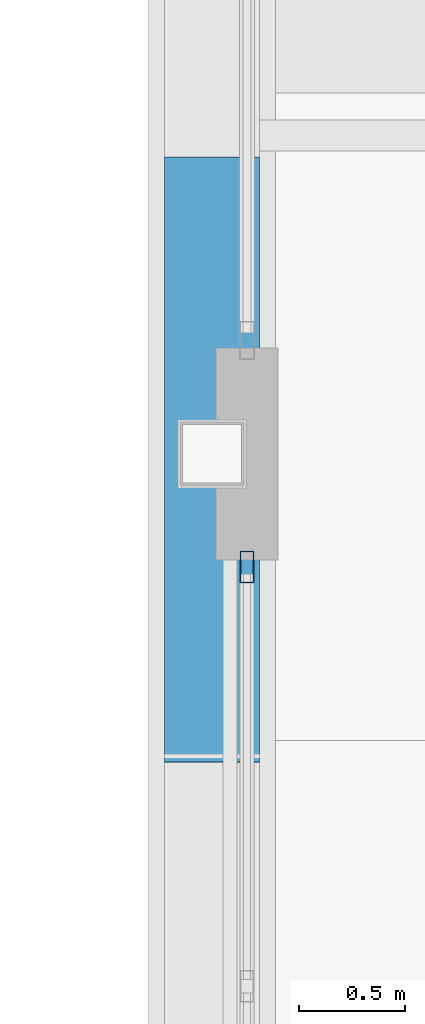
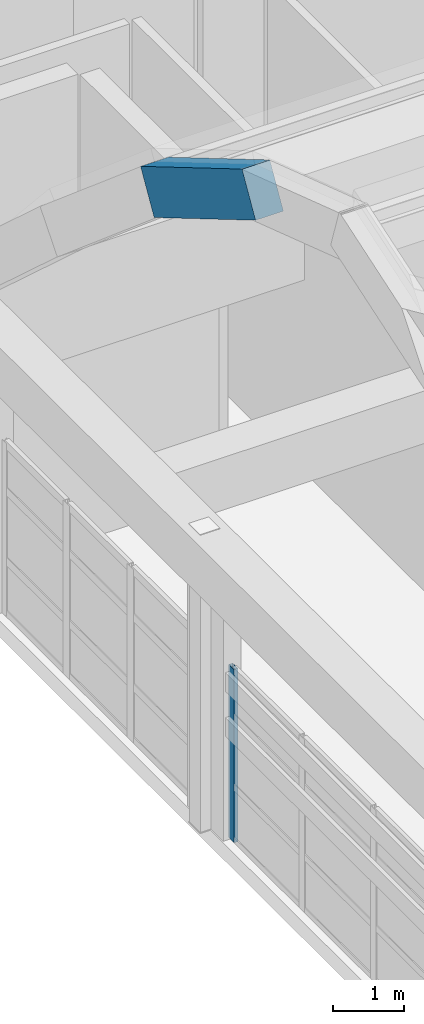
# One storey, part 35 of 103: 1 beam, 1 member, 1 element without a shape of its own.
"""IFC4 building model written with IfcOpenShell, lengths in metres."""

from ifc_helpers import new_model, si_unit, direction, frame, origin, origin_2d, place, context, subcontext, project, spatial, rectangle, hollow_rectangle, extrude, material, layer, layer_set, material_profile, profile_set, type_object, element, aggregate, save


model = new_model("IFC4")

# Units and contexts
model_context = context("Model", 3, precision=1e-05, world=origin(), true_north=direction((0.0, 1.0)))
body_context = subcontext(model_context, "Body", "Model", "MODEL_VIEW")
ifc_project = project(units=[si_unit("LENGTHUNIT", "METRE"), si_unit("AREAUNIT", "SQUARE_METRE"), si_unit("VOLUMEUNIT", "CUBIC_METRE"), si_unit("PLANEANGLEUNIT", "RADIAN"), si_unit("MASSUNIT", "GRAM", prefix="KILO")], contexts=[model_context])

# Site, building, storey
site_placement = place(None, origin())
site = spatial("IfcSite", under=ifc_project, at=site_placement, CompositionType="ELEMENT")
building_placement = place(site_placement, origin())
building = spatial("IfcBuilding", under=site, at=building_placement, Name="Quendrovan Civic Courthouse", CompositionType="ELEMENT")
storey_placement = place(building_placement, frame((0.0, 0.0, 15.300048828125)))
storey = spatial("IfcBuildingStorey", under=building, at=storey_placement, Name="L04", CompositionType="ELEMENT", Elevation=15.300048828125)

# Beam
ifc_material_1 = material(Name="Concrete C40/50", Category="concrete")
ifc_material_profile_1 = material_profile(ifc_material_1, rectangle(XDim=0.449951171875, YDim=0.75, at=origin_2d()), Name="RC-VRIB-450x750")
ifc_profile_set_1 = profile_set([ifc_material_profile_1], Name="Concrete C40/50")
beam_type = type_object("IfcBeamType", Name="BM-VRIB750", PredefinedType="BEAM", material=ifc_profile_set_1)
beam_placement = place(storey_placement, frame((33.60009765625, 78.7578125, 11.861572265625), z_axis=(0.0, 0.861355141515, -0.508003267889), x_axis=(-1.0, 0.0, 0.0)))
element("IfcBeam", 1, at=beam_placement, inside=storey, type_object=beam_type, Name="BV2 Concrete Vault Arch Rib A1-C6", PredefinedType="BEAM", context=body_context, shape_type="SweptSolid", body=[
    extrude(rectangle(XDim=0.449951171875, YDim=0.75, at=origin_2d()), origin(), (0.0, 0.0, 1.0), 3.308837890625),
])

# Curtain wall, member
ifc_material_2 = material(Name="Bronze anodised aluminium and low-E glass", Category="aluminium")
ifc_layer = layer(ifc_material_2, 0.179931640625, Name="Bronze anodised aluminium and low-E glass")
ifc_layer_set = layer_set([ifc_layer], Name="Bronze anodised aluminium and low-E glass")
curtain_wall_type = type_object("IfcCurtainWallType", Name="CW-U60x30", PredefinedType="USERDEFINED", material=ifc_layer_set)
curtain_wall_placement = place(storey_placement, origin())
curtain_wall = element("IfcCurtainWall", 2, at=curtain_wall_placement, inside=storey, type_object=curtain_wall_type, Name="L04 Unitised Hurricane Curtain Wall CW-165", ObjectType="UNITISED CURTAIN WALL", PredefinedType="USERDEFINED")
ifc_material_3 = material(Name="Bronze anodised aluminium", Category="aluminium")
ifc_material_profile_2 = material_profile(ifc_material_3, hollow_rectangle(XDim=0.06494140625, YDim=0.14990234375, WallThickness=0.00390625, at=origin_2d()), Name="CW-MULL-65x150")
ifc_profile_set_2 = profile_set([ifc_material_profile_2], Name="Bronze anodised aluminium")
member_type = type_object("IfcMemberType", Name="CW-MULL-B", PredefinedType="MULLION", material=ifc_profile_set_2)
member_placement = place(storey_placement, frame((33.764892578125, 79.867431640625, 0.0), z_axis=(0.0, 0.0, 1.0), x_axis=(-1.0, 0.0, 0.0)))
member = element("IfcMember", 3, at=member_placement, type_object=member_type, Name="CW-165 mullion 4", PredefinedType="MULLION", context=body_context, shape_type="SweptSolid", body=[
    extrude(hollow_rectangle(XDim=0.06494140625, YDim=0.14990234375, WallThickness=0.00390625, at=origin_2d()), origin(), (0.0, 0.0, 1.0), 2.969970703125),
])
aggregate(curtain_wall, [member])

save(model, "model.ifc")
